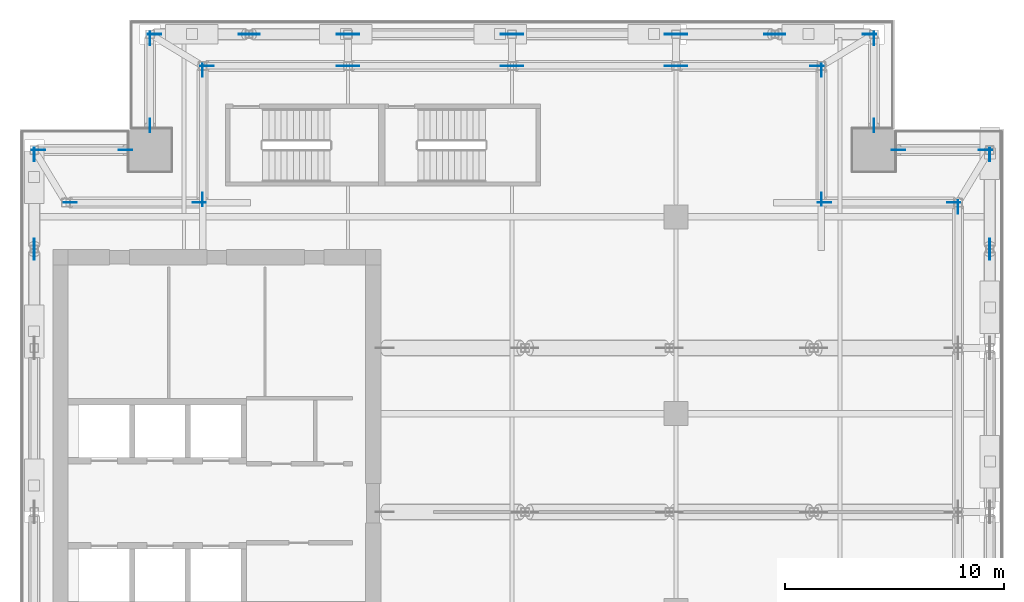
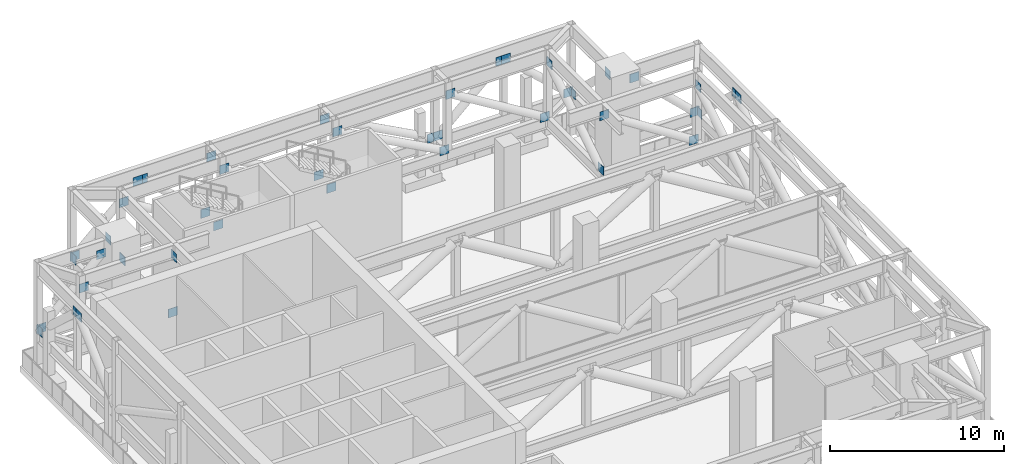
# One storey, part 11 of 15: 43 discrete accessories.
"""IFC4 building model written with IfcOpenShell, lengths in metres."""

import ifcopenshell
import ifcopenshell.guid

model = None  # the IFC model being written
_history = None  # IfcOwnerHistory: only IFC2X3 demands one
_inside = {}  # id of a spatial element -> (the spatial element, [elements in it])
_under = {}  # id of a project, library or spatial element -> (it, [spatial elements below it])
_declared = {}  # id of a project -> (the project, [libraries it declares])
_typed = {}  # id of a type object -> (the type object, [elements of that type])
_made_of = {}  # id of a material, layer set ... -> (it, [elements and type objects made of it])


def new_model(schema):
    """Start an empty IFC model of exactly this schema.

    Asked for "IFC4X3", IfcOpenShell would pick the latest addendum, in which some entities
    have other attributes; the version numbers below select the first issue.
    IFC2X3 requires an IfcOwnerHistory on every rooted entity: one is made here for all.
    """
    global model, _history
    if schema == "IFC4X3":
        model = ifcopenshell.file(schema_version=(4, 3, 0, 0))
    else:
        model = ifcopenshell.file(schema=schema)
    _inside.clear()
    _under.clear()
    _declared.clear()
    _typed.clear()
    _made_of.clear()
    _history = None
    if model.schema == "IFC2X3":
        org = make("IfcOrganization", Name="unknown")
        user = make(
            "IfcPersonAndOrganization",
            ThePerson=make("IfcPerson", FamilyName="unknown"),
            TheOrganization=org,
        )
        app = make(
            "IfcApplication",
            ApplicationDeveloper=org,
            Version="unknown",
            ApplicationFullName="unknown",
            ApplicationIdentifier="unknown",
        )
        _history = make(
            "IfcOwnerHistory",
            OwningUser=user,
            OwningApplication=app,
            ChangeAction="ADDED",
            CreationDate=0,
        )
    return model


def make(cls, **values):
    """One entity of the class cls with the attributes given. An attribute that is None is left unset."""
    return model.create_entity(
        cls, **{name: value for name, value in values.items() if value is not None}
    )


def rooted(cls, **values):
    """An entity with a GlobalId (a new one), such as an element, a storey or a relation."""
    return make(cls, GlobalId=ifcopenshell.guid.new(), OwnerHistory=_history, **values)


def si_unit(unit_type, name, prefix=None):
    """IfcSIUnit, for example si_unit("LENGTHUNIT", "METRE", prefix="MILLI")."""
    return make("IfcSIUnit", UnitType=unit_type, Prefix=prefix, Name=name)


def assignment(units):
    """IfcUnitAssignment: the units of a project."""
    return None if units is None else make("IfcUnitAssignment", Units=units)


def point(xyz):
    """IfcCartesianPoint."""
    return None if xyz is None else make("IfcCartesianPoint", Coordinates=xyz)


def direction(xyz):
    """IfcDirection."""
    return None if xyz is None else make("IfcDirection", DirectionRatios=xyz)


def frame(location, z_axis=None, x_axis=None):
    """IfcAxis2Placement3D, a coordinate frame: its origin and axes. An axis left out is left unset."""
    return make(
        "IfcAxis2Placement3D",
        Location=point(location),
        Axis=direction(z_axis),
        RefDirection=direction(x_axis),
    )


def frame_2d(location, x_axis=None):
    """IfcAxis2Placement2D, a coordinate frame in the plane: its origin and x axis."""
    return make(
        "IfcAxis2Placement2D", Location=point(location), RefDirection=direction(x_axis)
    )


def origin():
    """The frame at (0, 0, 0) with its axes left unset."""
    return frame((0.0, 0.0, 0.0))


def origin_2d():
    """The frame at (0, 0) in the plane with its x axis left unset."""
    return frame_2d((0.0, 0.0))


def place(relative_to, where):
    """IfcLocalPlacement: puts the frame where relative to a parent placement (None: the world)."""
    return make(
        "IfcLocalPlacement", PlacementRelTo=relative_to, RelativePlacement=where
    )


def context(
    kind, dimensions, precision=None, world=None, true_north=None, identifier=None
):
    """IfcGeometricRepresentationContext, for example the 3D "Model" context."""
    return make(
        "IfcGeometricRepresentationContext",
        ContextIdentifier=identifier,
        ContextType=kind,
        CoordinateSpaceDimension=dimensions,
        Precision=precision,
        WorldCoordinateSystem=world,
        TrueNorth=true_north,
    )


def subcontext(parent, identifier, kind, view, scale=None):
    """IfcGeometricRepresentationSubContext, for example "Body" below "Model"."""
    return make(
        "IfcGeometricRepresentationSubContext",
        ContextIdentifier=identifier,
        ContextType=kind,
        ParentContext=parent,
        TargetScale=scale,
        TargetView=view,
    )


def project(units=None, contexts=None):
    """IfcProject with its units and contexts."""
    return rooted(
        "IfcProject",
        Name="project",
        RepresentationContexts=contexts,
        UnitsInContext=assignment(units),
    )


def spatial(cls, under=None, at=None, **own):
    """A site, building, storey or space (cls), placed at a placement, below another one or the project."""
    s = rooted(cls, ObjectPlacement=at, **own)
    if under is not None:
        _under.setdefault(under.id(), (under, []))[1].append(s)
    return s


def profile(cls, at=None, kind="AREA", **sizes):
    """A parametric profile (cls). Its sizes go by their IFC names, for example OverallWidth=200.0."""
    return make(cls, ProfileType=kind, Position=at, **sizes)


def rectangle(**sizes):
    """IfcRectangleProfileDef."""
    return profile("IfcRectangleProfileDef", **sizes)


def extrude(swept, where, along, depth):
    """IfcExtrudedAreaSolid: the profile swept, set in the frame where, extruded along a direction by depth."""
    return make(
        "IfcExtrudedAreaSolid",
        SweptArea=swept,
        Position=where,
        ExtrudedDirection=direction(along),
        Depth=depth,
    )


def shape(context_of_items, identifier, shape_type, items):
    """IfcShapeRepresentation: the items that make up one representation, for example the "Body"."""
    return make(
        "IfcShapeRepresentation",
        ContextOfItems=context_of_items,
        RepresentationIdentifier=identifier,
        RepresentationType=shape_type,
        Items=items,
    )


def source(mapping_origin, context_of_items, identifier, shape_type, items):
    """IfcRepresentationMap: a shape defined once, which mapped items show again and again."""
    return make(
        "IfcRepresentationMap",
        MappingOrigin=mapping_origin,
        MappedRepresentation=shape(context_of_items, identifier, shape_type, items),
    )


def transform(
    local_origin,
    x_axis=None,
    y_axis=None,
    z_axis=None,
    scale=None,
    scale2=None,
    scale3=None,
    uniform=True,
):
    """IfcCartesianTransformationOperator3D, or its non-uniform kind. x_axis, y_axis, z_axis: its Axis1, 2, 3."""
    if uniform:
        return make(
            "IfcCartesianTransformationOperator3D",
            Axis1=direction(x_axis),
            Axis2=direction(y_axis),
            LocalOrigin=point(local_origin),
            Scale=scale,
            Axis3=direction(z_axis),
        )
    return make(
        "IfcCartesianTransformationOperator3DnonUniform",
        Axis1=direction(x_axis),
        Axis2=direction(y_axis),
        LocalOrigin=point(local_origin),
        Scale=scale,
        Axis3=direction(z_axis),
        Scale2=scale2,
        Scale3=scale3,
    )


def mapped(mapping_source, mapping_target):
    """IfcMappedItem: shows the shape of a source again, moved by a transform."""
    return make(
        "IfcMappedItem", MappingSource=mapping_source, MappingTarget=mapping_target
    )


def material(Name=None, Category=None):
    """IfcMaterial."""
    return make("IfcMaterial", Name=Name, Category=Category)


def layer(
    of_material, thickness, ventilated=None, Name=None, Category=None, Priority=None
):
    """IfcMaterialLayer: one layer of a wall or slab, of a material (None: an air gap)."""
    return make(
        "IfcMaterialLayer",
        Material=of_material,
        LayerThickness=thickness,
        IsVentilated=ventilated,
        Name=Name,
        Category=Category,
        Priority=Priority,
    )


def layer_set(layers, Name=None):
    """IfcMaterialLayerSet."""
    return make("IfcMaterialLayerSet", MaterialLayers=layers, LayerSetName=Name)


def made_of(thing, what):
    """Note that an element or type object is made of a material, layer set ...; save() writes the relation."""
    if what is not None:
        _made_of.setdefault(what.id(), (what, []))[1].append(thing)
    return thing


def type_object(cls, material=None, **own):
    """A type object (cls), such as IfcWallType, which elements share."""
    return made_of(rooted(cls, **own), material)


def element(
    cls,
    number,
    at=None,
    inside=None,
    cuts=None,
    type_object=None,
    material=None,
    context=None,
    identifier="Body",
    shape_type=None,
    held_by="IfcProductDefinitionShape",
    body=None,
    shapes=None,
    **own,
):
    """One element of the class cls, such as IfcWall. Its Tag is "e" and its number.

    at: its placement. inside: the storey or other place that contains it. cuts: it is an
    opening in that element (IfcRelVoidsElement). A single representation is given by context,
    identifier, shape_type and body (its items); several are given by shapes. held_by: the class
    of the entity that holds the representations. save() writes the other relations.
    """
    e = rooted(cls, Tag="e%d" % number, ObjectPlacement=at, **own)
    if body is not None:
        shapes = [shape(context, identifier, shape_type, body)]
    if shapes is not None:
        e.Representation = make(held_by, Representations=shapes)
    if inside is not None:
        _inside.setdefault(inside.id(), (inside, []))[1].append(e)
    if cuts is not None:
        rooted(
            "IfcRelVoidsElement", RelatingBuildingElement=cuts, RelatedOpeningElement=e
        )
    if type_object is not None:
        _typed.setdefault(type_object.id(), (type_object, []))[1].append(e)
    return made_of(e, material)


def aggregate(whole, parts):
    """IfcRelAggregates: a whole, such as a stair, and the parts it consists of."""
    return rooted("IfcRelAggregates", RelatingObject=whole, RelatedObjects=parts)


def save(model, path):
    """Write the relations noted so far, then the file.

    IfcRelAggregates (storeys below a building ...), IfcRelContainedInSpatialStructure (elements
    in a storey), IfcRelDefinesByType, IfcRelAssociatesMaterial and IfcRelDeclares: one each for
    every whole, place, type object, material and project.
    """
    for whole, parts in _under.values():
        aggregate(whole, parts)
    for where, things in _inside.values():
        rooted(
            "IfcRelContainedInSpatialStructure",
            RelatedElements=things,
            RelatingStructure=where,
        )
    for kind, things in _typed.values():
        rooted("IfcRelDefinesByType", RelatedObjects=things, RelatingType=kind)
    for what, things in _made_of.values():
        rooted("IfcRelAssociatesMaterial", RelatedObjects=things, RelatingMaterial=what)
    for by, libraries in _declared.values():
        rooted("IfcRelDeclares", RelatingContext=by, RelatedDefinitions=libraries)
    model.write(path)


model = new_model("IFC4")

# Units and contexts
model_context = context("Model", 3, precision=1e-05, world=origin(), true_north=direction((0.0, 1.0)))
body_context = subcontext(model_context, "Body", "Model", "MODEL_VIEW")
ifc_project = project(units=[si_unit("LENGTHUNIT", "METRE"), si_unit("AREAUNIT", "SQUARE_METRE"), si_unit("VOLUMEUNIT", "CUBIC_METRE"), si_unit("PLANEANGLEUNIT", "RADIAN"), si_unit("MASSUNIT", "GRAM", prefix="KILO")], contexts=[model_context])

# Site, building, storey
site_placement = place(None, origin())
site = spatial("IfcSite", under=ifc_project, at=site_placement, CompositionType="ELEMENT")
building_placement = place(site_placement, origin())
building = spatial("IfcBuilding", under=site, at=building_placement, Name="Khomas Fold Tower", CompositionType="ELEMENT")
storey_placement = place(building_placement, frame((0.0, 0.0, 274.199951171875)))
storey = spatial("IfcBuildingStorey", under=building, at=storey_placement, Name="L62", CompositionType="ELEMENT", Elevation=274.199951171875)

# Discrete accessories
ifc_material = material(Name="Steel S355", Category="steel")
ifc_layer = layer(ifc_material, 0.034912109375)
ifc_layer_set = layer_set([ifc_layer], Name="Steel S355")
discrete_accessory_type = type_object("IfcDiscreteAccessoryType", Name="Gusset plate 35 x 610 GP5", PredefinedType="BRACKET", material=ifc_layer_set)
shared_shape = source(origin(), body_context, "Body", "SweptSolid", [
    extrude(rectangle(XDim=0.610107421875, YDim=0.034912109375, at=origin_2d()), origin(), (0.0, 0.0, 1.0), 0.610107421875),
])
for number, where, z_axis, x_axis, name in (
    (1, (5.14990234375, 38.85009765625, 6.4501953125), (0.0, 0.0, 1.0), (0.0, 1.0, 0.0), "Gusset plate BT4-D"),
    (2, (5.14990234375, 39.199951171875, 6.4501953125), (0.0, 0.0, 1.0), (0.0, 1.0, 0.0), "Gusset plate BT4-D"),
    (3, (5.14990234375, 43.35009765625, 2.64013671875), (0.0, 0.0, 1.0), (0.0, 1.0, 0.0), "Gusset plate BT4-D"),
    (4, (5.35009765625, 43.550048828125, 2.64013671875), (0.0, 0.0, 1.0), (1.0, 0.0, 0.0), "Gusset plate BT4-D"),
    (5, (6.800048828125, 41.14990234375, 6.4501953125), (0.0, 0.0, 1.0), (1.0, 0.0, 0.0), "Gusset plate BT4-D"),
    (6, (9.328369140625, 43.550048828125, 6.4501953125), (0.0, 0.0, 1.0), (1.0, 0.0, 0.0), "Gusset plate BT4-D"),
    (7, (10.449951171875, 44.671630859375, 6.4501953125), (0.0, 0.0, 1.0), (0.0, 1.0, 0.0), "Gusset plate BT4-D"),
    (8, (10.449951171875, 48.64990234375, 2.64013671875), (0.0, 0.0, 1.0), (0.0, 1.0, 0.0), "Gusset plate BT4-D"),
    (9, (10.64990234375, 48.85009765625, 2.64013671875), (0.0, 0.0, 1.0), (1.0, 0.0, 0.0), "Gusset plate BT4-D"),
    (10, (12.699951171875, 41.14990234375, 2.64013671875), (0.0, 0.0, 1.0), (1.0, 0.0, 0.0), "Gusset plate BT4-D"),
    (11, (12.85009765625, 41.28515625, 6.4501953125), (0.0, 0.0, 1.0), (0.0, 1.0, 0.0), "Gusset plate BT4-D"),
    (12, (12.85009765625, 47.199951171875, 2.64013671875), (0.0, 0.0, 1.0), (0.0, 1.0, 0.0), "Gusset plate BT4-D"),
    (13, (13.050048828125, 47.39990234375, 6.4501953125), (0.0, 0.0, 1.0), (1.0, 0.0, 0.0), "Gusset plate BT4-D"),
    (14, (14.800048828125, 48.85009765625, 6.4501953125), (0.0, 0.0, 1.0), (1.0, 0.0, 0.0), "Gusset plate BT4-D"),
    (15, (15.14990234375, 48.85009765625, 6.4501953125), (0.0, 0.0, 1.0), (1.0, 0.0, 0.0), "Gusset plate BT4-D"),
    (16, (19.300048828125, 47.39990234375, 2.64013671875), (0.0, 0.0, 1.0), (1.0, 0.0, 0.0), "Gusset plate BT4-D"),
    (17, (19.300048828125, 48.85009765625, 2.64013671875), (0.0, 0.0, 1.0), (1.0, 0.0, 0.0), "Gusset plate BT4-D"),
    (18, (19.699951171875, 47.39990234375, 6.4501953125), (0.0, 0.0, 1.0), (1.0, 0.0, 0.0), "Gusset plate BT4-D"),
    (19, (19.699951171875, 48.85009765625, 6.4501953125), (0.0, 0.0, 1.0), (1.0, 0.0, 0.0), "Gusset plate BT4-D"),
    (20, (26.800048828125, 47.39990234375, 2.64013671875), (0.0, 0.0, 1.0), (1.0, 0.0, 0.0), "Gusset plate BT4-D"),
    (21, (26.800048828125, 48.85009765625, 2.64013671875), (0.0, 0.0, 1.0), (1.0, 0.0, 0.0), "Gusset plate BT4-D"),
    (22, (27.199951171875, 47.39990234375, 6.4501953125), (0.0, 0.0, 1.0), (1.0, 0.0, 0.0), "Gusset plate BT4-D"),
    (23, (27.199951171875, 48.85009765625, 6.4501953125), (0.0, 0.0, 1.0), (1.0, 0.0, 0.0), "Gusset plate BT4-D"),
    (24, (34.300048828125, 47.39990234375, 2.64013671875), (0.0, 0.0, 1.0), (1.0, 0.0, 0.0), "Gusset plate BT4-D"),
    (25, (34.300048828125, 48.85009765625, 2.64013671875), (0.0, 0.0, 1.0), (1.0, 0.0, 0.0), "Gusset plate BT4-D"),
    (26, (34.699951171875, 47.39990234375, 6.4501953125), (0.0, 0.0, 1.0), (1.0, 0.0, 0.0), "Gusset plate BT4-D"),
    (27, (34.699951171875, 48.85009765625, 2.64013671875), (0.0, 0.0, 1.0), (1.0, 0.0, 0.0), "Gusset plate BT4-D"),
    (28, (38.85009765625, 48.85009765625, 6.4501953125), (0.0, 0.0, 1.0), (1.0, 0.0, 0.0), "Gusset plate BT4-D"),
    (29, (39.199951171875, 48.85009765625, 6.4501953125), (0.0, 0.0, 1.0), (1.0, 0.0, 0.0), "Gusset plate BT4-D"),
    (30, (40.949951171875, 47.39990234375, 2.64013671875), (0.0, 0.0, 1.0), (1.0, 0.0, 0.0), "Gusset plate BT4-D"),
    (31, (41.14990234375, 41.300048828125, 2.64013671875), (0.0, 0.0, 1.0), (0.0, 1.0, 0.0), "Gusset plate BT4-D"),
    (32, (41.14990234375, 47.199951171875, 6.4501953125), (0.0, 0.0, 1.0), (0.0, 1.0, 0.0), "Gusset plate BT4-D"),
    (33, (41.28515625, 41.14990234375, 6.4501953125), (0.0, 0.0, 1.0), (1.0, 0.0, 0.0), "Gusset plate BT4-D"),
    (34, (43.35009765625, 48.85009765625, 2.64013671875), (0.0, 0.0, 1.0), (1.0, 0.0, 0.0), "Gusset plate BT4-D"),
    (35, (43.550048828125, 44.671630859375, 6.4501953125), (0.0, 0.0, 1.0), (0.0, 1.0, 0.0), "Gusset plate BT4-D"),
    (36, (43.550048828125, 48.64990234375, 2.64013671875), (0.0, 0.0, 1.0), (0.0, 1.0, 0.0), "Gusset plate BT4-D"),
    (37, (44.671630859375, 43.550048828125, 6.4501953125), (0.0, 0.0, 1.0), (1.0, 0.0, 0.0), "Gusset plate BT4-D"),
    (38, (47.199951171875, 41.14990234375, 2.64013671875), (0.0, 0.0, 1.0), (1.0, 0.0, 0.0), "Gusset plate BT4-D"),
    (39, (47.39990234375, 40.949951171875, 6.4501953125), (0.0, 0.0, 1.0), (0.0, 1.0, 0.0), "Gusset plate BT4-D"),
    (40, (48.64990234375, 43.550048828125, 2.64013671875), (0.0, 0.0, 1.0), (1.0, 0.0, 0.0), "Gusset plate BT4-D"),
    (41, (48.85009765625, 38.85009765625, 6.4501953125), (0.0, 0.0, 1.0), (0.0, 1.0, 0.0), "Gusset plate BT4-D"),
    (42, (48.85009765625, 39.199951171875, 6.4501953125), (0.0, 0.0, 1.0), (0.0, 1.0, 0.0), "Gusset plate BT4-D"),
    (43, (48.85009765625, 43.35009765625, 2.64013671875), (0.0, 0.0, 1.0), (0.0, 1.0, 0.0), "Gusset plate BT4-D"),
):
    element("IfcDiscreteAccessory", number, at=place(storey_placement, frame(where, z_axis=z_axis, x_axis=x_axis)), inside=storey, type_object=discrete_accessory_type, Name=name, PredefinedType="BRACKET", context=body_context, shape_type="MappedRepresentation", body=[
        mapped(shared_shape, transform((0.0, 0.0, 0.0))),
    ])

save(model, "model.ifc")
